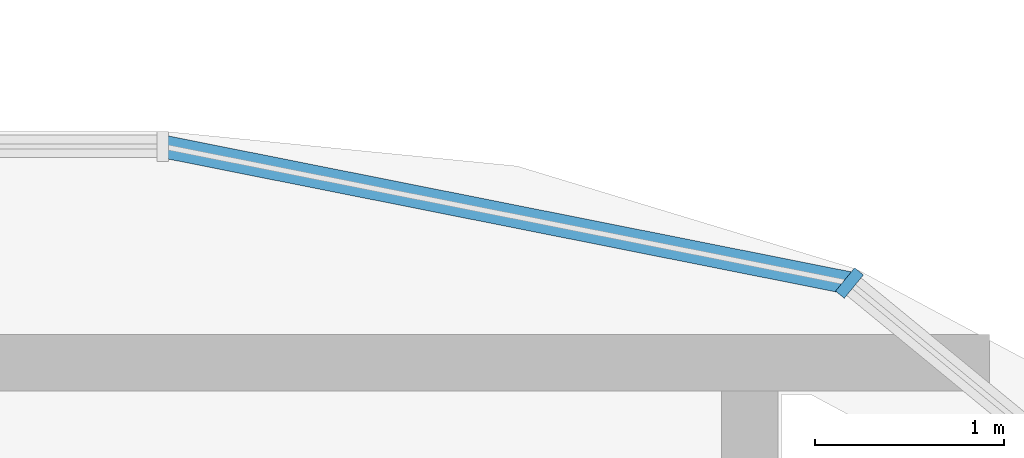
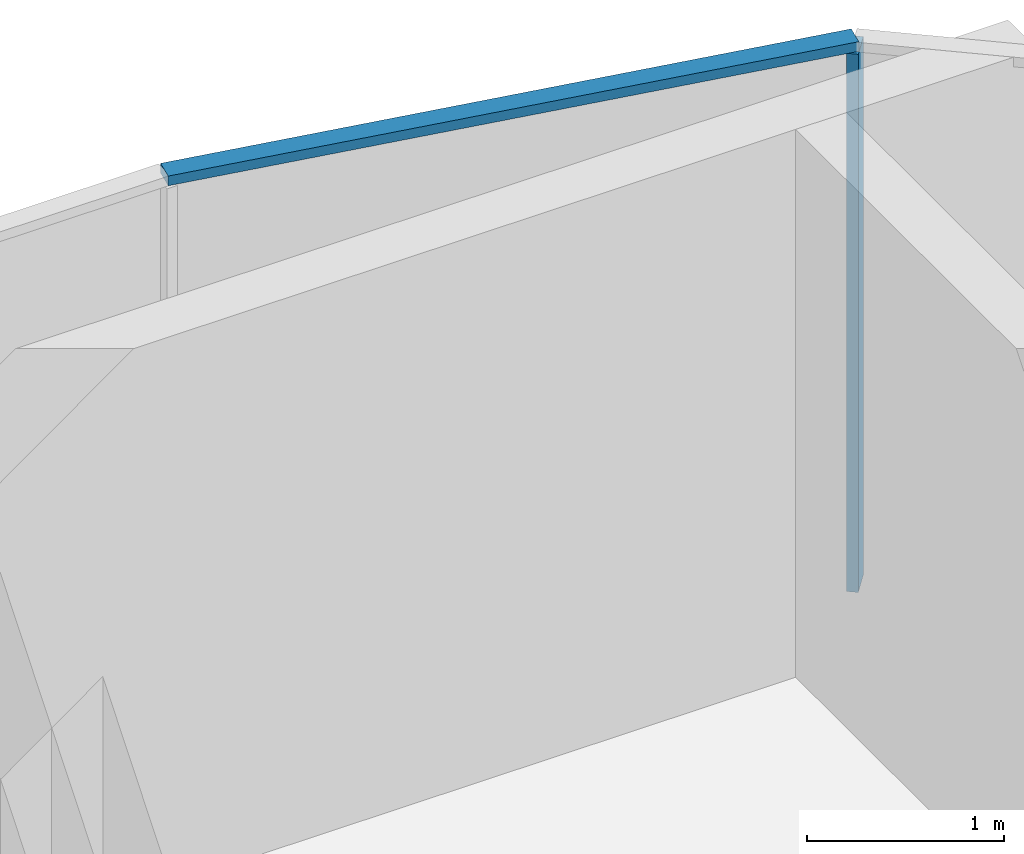
# One storey, part 5 of 18: 2 members, 1 element without a shape of its own.
"""IFC4 building model written with IfcOpenShell, lengths in metres."""

from ifc_helpers import new_model, si_unit, direction, frame, origin, origin_2d, place, context, subcontext, project, spatial, rectangle, extrude, material, material_profile, profile_set, type_object, element, aggregate, save


model = new_model("IFC4")

# Units and contexts
model_context = context("Model", 3, precision=1e-05, world=origin(), true_north=direction((0.0, 1.0)))
body_context = subcontext(model_context, "Body", "Model", "MODEL_VIEW")
ifc_project = project(units=[si_unit("LENGTHUNIT", "METRE"), si_unit("AREAUNIT", "SQUARE_METRE"), si_unit("VOLUMEUNIT", "CUBIC_METRE"), si_unit("PLANEANGLEUNIT", "RADIAN"), si_unit("MASSUNIT", "GRAM", prefix="KILO")], contexts=[model_context])

# Site, building, storey
site_placement = place(None, origin())
site = spatial("IfcSite", under=ifc_project, at=site_placement, CompositionType="ELEMENT")
building_placement = place(site_placement, origin())
building = spatial("IfcBuilding", under=site, at=building_placement, Name="Ogive Portal Towers", CompositionType="ELEMENT")
storey_placement = place(building_placement, frame((0.0, 0.0, 236.5)))
storey = spatial("IfcBuildingStorey", under=building, at=storey_placement, Name="L59", CompositionType="ELEMENT", Elevation=236.5)

# Curtain wall, members
ifc_material_1 = material(Name="Glass, clear low-iron insulated glazing", Category="glass")
curtain_wall_type = type_object("IfcCurtainWallType", Name="CW FRONT RIBBON 4500", PredefinedType="NOTDEFINED", material=ifc_material_1)
curtain_wall_placement = place(storey_placement, origin())
curtain_wall = element("IfcCurtainWall", 1, at=curtain_wall_placement, inside=storey, type_object=curtain_wall_type, Name="A:L59:f13:cwa", PredefinedType="NOTDEFINED")
ifc_material_2 = material(Name="Aluminium 6063 anodised", Category="aluminium")
ifc_material_profile_1 = material_profile(ifc_material_2, rectangle(XDim=0.159912109375, YDim=0.06005859375, at=origin_2d()), Name="AL 60x160")
ifc_profile_set_1 = profile_set([ifc_material_profile_1], Name="Aluminium 6063 anodised")
member_type_1 = type_object("IfcMemberType", Name="CW MULLION 60x160", PredefinedType="MULLION", material=ifc_profile_set_1)
member_1_placement = place(storey_placement, frame((91.12890625, 41.271484375, 0.0), z_axis=(0.0, 0.0, 1.0), x_axis=(-0.634393284164, -0.773010453363, 0.0)))
member_1 = element("IfcMember", 2, at=member_1_placement, type_object=member_type_1, Name="mullion", PredefinedType="MULLION", context=body_context, shape_type="SweptSolid", body=[
    extrude(rectangle(XDim=0.159912109375, YDim=0.06005859375, at=origin_2d()), origin(), (0.0, 0.0, 1.0), 3.340087890625),
])
ifc_material_profile_2 = material_profile(ifc_material_2, rectangle(XDim=0.1201171875, YDim=0.06005859375, at=origin_2d()), Name="AL 120x60")
ifc_profile_set_2 = profile_set([ifc_material_profile_2], Name="Aluminium 6063 anodised")
member_type_2 = type_object("IfcMemberType", Name="CW TRANSOM 60x120", PredefinedType="USERDEFINED", material=ifc_profile_set_2)
member_2_placement = place(storey_placement, frame((91.12890625, 41.271484375, 3.3701171875), z_axis=(-0.980772662828, 0.195153744134, 0.0), x_axis=(-0.195153744134, -0.980772662828, 0.0)))
member_2 = element("IfcMember", 3, at=member_2_placement, type_object=member_type_2, Name="transom", ObjectType="TRANSOM", PredefinedType="USERDEFINED", context=body_context, shape_type="SweptSolid", body=[
    extrude(rectangle(XDim=0.1201171875, YDim=0.06005859375, at=origin_2d()), origin(), (0.0, 0.0, 1.0), 3.7080078125),
])
aggregate(curtain_wall, [member_2, member_1])

save(model, "model.ifc")
